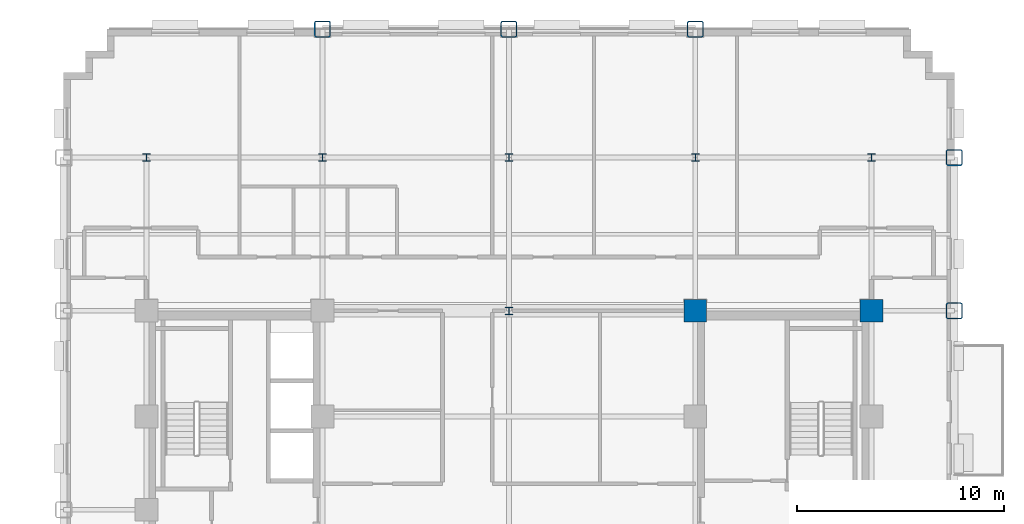
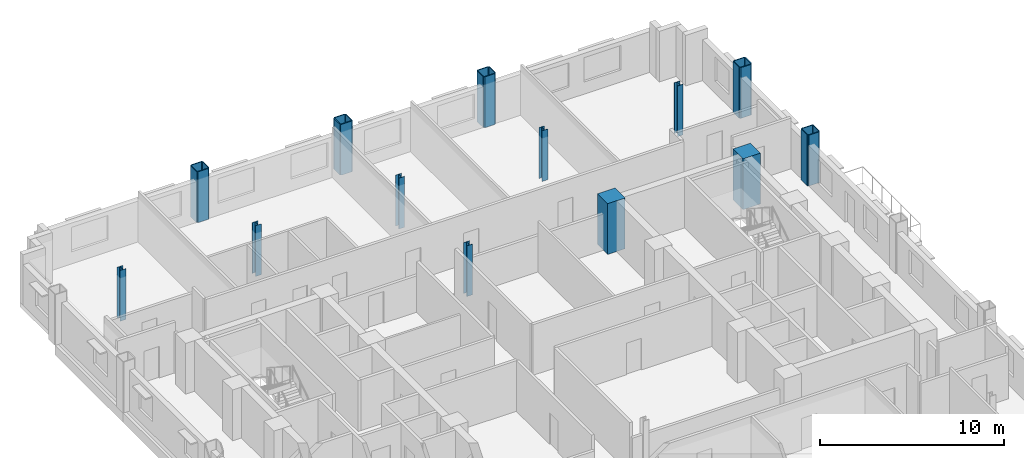
# One storey, part 3 of 14: 13 columns.
"""IFC4 building model written with IfcOpenShell, lengths in metres."""

import ifcopenshell
import ifcopenshell.guid

model = None  # the IFC model being written
_history = None  # IfcOwnerHistory: only IFC2X3 demands one
_inside = {}  # id of a spatial element -> (the spatial element, [elements in it])
_under = {}  # id of a project, library or spatial element -> (it, [spatial elements below it])
_declared = {}  # id of a project -> (the project, [libraries it declares])
_typed = {}  # id of a type object -> (the type object, [elements of that type])
_made_of = {}  # id of a material, layer set ... -> (it, [elements and type objects made of it])


def new_model(schema):
    """Start an empty IFC model of exactly this schema.

    Asked for "IFC4X3", IfcOpenShell would pick the latest addendum, in which some entities
    have other attributes; the version numbers below select the first issue.
    IFC2X3 requires an IfcOwnerHistory on every rooted entity: one is made here for all.
    """
    global model, _history
    if schema == "IFC4X3":
        model = ifcopenshell.file(schema_version=(4, 3, 0, 0))
    else:
        model = ifcopenshell.file(schema=schema)
    _inside.clear()
    _under.clear()
    _declared.clear()
    _typed.clear()
    _made_of.clear()
    _history = None
    if model.schema == "IFC2X3":
        org = make("IfcOrganization", Name="unknown")
        user = make(
            "IfcPersonAndOrganization",
            ThePerson=make("IfcPerson", FamilyName="unknown"),
            TheOrganization=org,
        )
        app = make(
            "IfcApplication",
            ApplicationDeveloper=org,
            Version="unknown",
            ApplicationFullName="unknown",
            ApplicationIdentifier="unknown",
        )
        _history = make(
            "IfcOwnerHistory",
            OwningUser=user,
            OwningApplication=app,
            ChangeAction="ADDED",
            CreationDate=0,
        )
    return model


def make(cls, **values):
    """One entity of the class cls with the attributes given. An attribute that is None is left unset."""
    return model.create_entity(
        cls, **{name: value for name, value in values.items() if value is not None}
    )


def rooted(cls, **values):
    """An entity with a GlobalId (a new one), such as an element, a storey or a relation."""
    return make(cls, GlobalId=ifcopenshell.guid.new(), OwnerHistory=_history, **values)


def si_unit(unit_type, name, prefix=None):
    """IfcSIUnit, for example si_unit("LENGTHUNIT", "METRE", prefix="MILLI")."""
    return make("IfcSIUnit", UnitType=unit_type, Prefix=prefix, Name=name)


def assignment(units):
    """IfcUnitAssignment: the units of a project."""
    return None if units is None else make("IfcUnitAssignment", Units=units)


def point(xyz):
    """IfcCartesianPoint."""
    return None if xyz is None else make("IfcCartesianPoint", Coordinates=xyz)


def direction(xyz):
    """IfcDirection."""
    return None if xyz is None else make("IfcDirection", DirectionRatios=xyz)


def frame(location, z_axis=None, x_axis=None):
    """IfcAxis2Placement3D, a coordinate frame: its origin and axes. An axis left out is left unset."""
    return make(
        "IfcAxis2Placement3D",
        Location=point(location),
        Axis=direction(z_axis),
        RefDirection=direction(x_axis),
    )


def frame_2d(location, x_axis=None):
    """IfcAxis2Placement2D, a coordinate frame in the plane: its origin and x axis."""
    return make(
        "IfcAxis2Placement2D", Location=point(location), RefDirection=direction(x_axis)
    )


def origin():
    """The frame at (0, 0, 0) with its axes left unset."""
    return frame((0.0, 0.0, 0.0))


def origin_2d():
    """The frame at (0, 0) in the plane with its x axis left unset."""
    return frame_2d((0.0, 0.0))


def place(relative_to, where):
    """IfcLocalPlacement: puts the frame where relative to a parent placement (None: the world)."""
    return make(
        "IfcLocalPlacement", PlacementRelTo=relative_to, RelativePlacement=where
    )


def context(
    kind, dimensions, precision=None, world=None, true_north=None, identifier=None
):
    """IfcGeometricRepresentationContext, for example the 3D "Model" context."""
    return make(
        "IfcGeometricRepresentationContext",
        ContextIdentifier=identifier,
        ContextType=kind,
        CoordinateSpaceDimension=dimensions,
        Precision=precision,
        WorldCoordinateSystem=world,
        TrueNorth=true_north,
    )


def subcontext(parent, identifier, kind, view, scale=None):
    """IfcGeometricRepresentationSubContext, for example "Body" below "Model"."""
    return make(
        "IfcGeometricRepresentationSubContext",
        ContextIdentifier=identifier,
        ContextType=kind,
        ParentContext=parent,
        TargetScale=scale,
        TargetView=view,
    )


def project(units=None, contexts=None):
    """IfcProject with its units and contexts."""
    return rooted(
        "IfcProject",
        Name="project",
        RepresentationContexts=contexts,
        UnitsInContext=assignment(units),
    )


def spatial(cls, under=None, at=None, **own):
    """A site, building, storey or space (cls), placed at a placement, below another one or the project."""
    s = rooted(cls, ObjectPlacement=at, **own)
    if under is not None:
        _under.setdefault(under.id(), (under, []))[1].append(s)
    return s


def profile(cls, at=None, kind="AREA", **sizes):
    """A parametric profile (cls). Its sizes go by their IFC names, for example OverallWidth=200.0."""
    return make(cls, ProfileType=kind, Position=at, **sizes)


def rectangle(**sizes):
    """IfcRectangleProfileDef."""
    return profile("IfcRectangleProfileDef", **sizes)


def hollow_rectangle(**sizes):
    """IfcRectangleHollowProfileDef."""
    return profile("IfcRectangleHollowProfileDef", **sizes)


def i_section(**sizes):
    """IfcIShapeProfileDef."""
    return profile("IfcIShapeProfileDef", **sizes)


def extrude(swept, where, along, depth):
    """IfcExtrudedAreaSolid: the profile swept, set in the frame where, extruded along a direction by depth."""
    return make(
        "IfcExtrudedAreaSolid",
        SweptArea=swept,
        Position=where,
        ExtrudedDirection=direction(along),
        Depth=depth,
    )


def shape(context_of_items, identifier, shape_type, items):
    """IfcShapeRepresentation: the items that make up one representation, for example the "Body"."""
    return make(
        "IfcShapeRepresentation",
        ContextOfItems=context_of_items,
        RepresentationIdentifier=identifier,
        RepresentationType=shape_type,
        Items=items,
    )


def material(Name=None, Category=None):
    """IfcMaterial."""
    return make("IfcMaterial", Name=Name, Category=Category)


def material_profile(
    of_material, cross_section, Name=None, Category=None, Priority=None
):
    """IfcMaterialProfile: a cross section and its material."""
    return make(
        "IfcMaterialProfile",
        Name=Name,
        Material=of_material,
        Profile=cross_section,
        Priority=Priority,
        Category=Category,
    )


def profile_set(profiles, Name=None, composite=None):
    """IfcMaterialProfileSet."""
    return make(
        "IfcMaterialProfileSet",
        Name=Name,
        MaterialProfiles=profiles,
        CompositeProfile=composite,
    )


def made_of(thing, what):
    """Note that an element or type object is made of a material, layer set ...; save() writes the relation."""
    if what is not None:
        _made_of.setdefault(what.id(), (what, []))[1].append(thing)
    return thing


def type_object(cls, material=None, **own):
    """A type object (cls), such as IfcWallType, which elements share."""
    return made_of(rooted(cls, **own), material)


def element(
    cls,
    number,
    at=None,
    inside=None,
    cuts=None,
    type_object=None,
    material=None,
    context=None,
    identifier="Body",
    shape_type=None,
    held_by="IfcProductDefinitionShape",
    body=None,
    shapes=None,
    **own,
):
    """One element of the class cls, such as IfcWall. Its Tag is "e" and its number.

    at: its placement. inside: the storey or other place that contains it. cuts: it is an
    opening in that element (IfcRelVoidsElement). A single representation is given by context,
    identifier, shape_type and body (its items); several are given by shapes. held_by: the class
    of the entity that holds the representations. save() writes the other relations.
    """
    e = rooted(cls, Tag="e%d" % number, ObjectPlacement=at, **own)
    if body is not None:
        shapes = [shape(context, identifier, shape_type, body)]
    if shapes is not None:
        e.Representation = make(held_by, Representations=shapes)
    if inside is not None:
        _inside.setdefault(inside.id(), (inside, []))[1].append(e)
    if cuts is not None:
        rooted(
            "IfcRelVoidsElement", RelatingBuildingElement=cuts, RelatedOpeningElement=e
        )
    if type_object is not None:
        _typed.setdefault(type_object.id(), (type_object, []))[1].append(e)
    return made_of(e, material)


def aggregate(whole, parts):
    """IfcRelAggregates: a whole, such as a stair, and the parts it consists of."""
    return rooted("IfcRelAggregates", RelatingObject=whole, RelatedObjects=parts)


def save(model, path):
    """Write the relations noted so far, then the file.

    IfcRelAggregates (storeys below a building ...), IfcRelContainedInSpatialStructure (elements
    in a storey), IfcRelDefinesByType, IfcRelAssociatesMaterial and IfcRelDeclares: one each for
    every whole, place, type object, material and project.
    """
    for whole, parts in _under.values():
        aggregate(whole, parts)
    for where, things in _inside.values():
        rooted(
            "IfcRelContainedInSpatialStructure",
            RelatedElements=things,
            RelatingStructure=where,
        )
    for kind, things in _typed.values():
        rooted("IfcRelDefinesByType", RelatedObjects=things, RelatingType=kind)
    for what, things in _made_of.values():
        rooted("IfcRelAssociatesMaterial", RelatedObjects=things, RelatingMaterial=what)
    for by, libraries in _declared.values():
        rooted("IfcRelDeclares", RelatingContext=by, RelatedDefinitions=libraries)
    model.write(path)


model = new_model("IFC4")

# Units and contexts
model_context = context("Model", 3, precision=1e-05, world=origin(), true_north=direction((0.0, 1.0)))
body_context = subcontext(model_context, "Body", "Model", "MODEL_VIEW")
ifc_project = project(units=[si_unit("LENGTHUNIT", "METRE"), si_unit("AREAUNIT", "SQUARE_METRE"), si_unit("VOLUMEUNIT", "CUBIC_METRE"), si_unit("PLANEANGLEUNIT", "RADIAN"), si_unit("MASSUNIT", "GRAM", prefix="KILO")], contexts=[model_context])

# Site, building, storey
site_placement = place(None, origin())
site = spatial("IfcSite", under=ifc_project, at=site_placement, CompositionType="ELEMENT")
building_placement = place(site_placement, origin())
building = spatial("IfcBuilding", under=site, at=building_placement, Name="Nuvemarco Arch Tower", CompositionType="ELEMENT")
storey_placement = place(building_placement, frame((0.0, 0.0, 71.39990234375)))
storey = spatial("IfcBuildingStorey", under=building, at=storey_placement, Name="L18", CompositionType="ELEMENT", Elevation=71.39990234375)

# Columns
ifc_material_1 = material(Name="Concrete C60/75", Category="concrete")
ifc_material_profile_1 = material_profile(ifc_material_1, rectangle(XDim=1.10009765625, YDim=1.10009765625, at=origin_2d()), Name="RC-COL-1100x1100")
ifc_profile_set_1 = profile_set([ifc_material_profile_1], Name="Concrete C60/75")
column_type_1 = type_object("IfcColumnType", Name="COL-CORE-1100", PredefinedType="COLUMN", material=ifc_profile_set_1)
for number, where, z_axis, x_axis, name in (
    (1, (9.0, 9.60009765625, 0.0), (0.0, 0.0, 1.0), (1.0, 0.0, 0.0), "L18 column CC_+9.0_+9.6"),
    (2, (17.5, 9.60009765625, 0.0), (0.0, 0.0, 1.0), (1.0, 0.0, 0.0), "L18 column CC_+17.5_+9.6"),
):
    element("IfcColumn", number, at=place(storey_placement, frame(where, z_axis=z_axis, x_axis=x_axis)), inside=storey, type_object=column_type_1, Name=name, PredefinedType="COLUMN", context=body_context, shape_type="SweptSolid", body=[
        extrude(rectangle(XDim=1.10009765625, YDim=1.10009765625, at=origin_2d()), origin(), (0.0, 0.0, 1.0), 3.3701171875),
    ])
ifc_material_2 = material(Name="Steel S460", Category="steel")
ifc_material_profile_2 = material_profile(ifc_material_2, hollow_rectangle(XDim=0.800048828125, YDim=0.800048828125, WallThickness=0.054931640625, InnerFilletRadius=0.054931640625, OuterFilletRadius=0.110107421875, at=origin_2d()), Name="SHS800x800x55")
ifc_profile_set_2 = profile_set([ifc_material_profile_2], Name="Steel S460")
column_type_2 = type_object("IfcColumnType", Name="COL-EXO-800", PredefinedType="COLUMN", material=ifc_profile_set_2)
for number, where, z_axis, x_axis, name in (
    (3, (21.5, 9.60009765625, 0.0), (0.0, 0.0, 1.0), (1.0, 0.0, 0.0), "L18 column CX_+21.5_+9.6"),
    (4, (21.5, 17.0, 0.0), (0.0, 0.0, 1.0), (1.0, 0.0, 0.0), "L18 column CX_+21.5_+17.0"),
    (5, (-9.0, 23.199951171875, 0.0), (0.0, 0.0, 1.0), (1.0, 0.0, 0.0), "L18 column CY_-9.0_+23.2"),
    (6, (0.0, 23.199951171875, 0.0), (0.0, 0.0, 1.0), (1.0, 0.0, 0.0), "L18 column CY_+0.0_+23.2"),
    (7, (9.0, 23.199951171875, 0.0), (0.0, 0.0, 1.0), (1.0, 0.0, 0.0), "L18 column CY_+9.0_+23.2"),
):
    element("IfcColumn", number, at=place(storey_placement, frame(where, z_axis=z_axis, x_axis=x_axis)), inside=storey, type_object=column_type_2, Name=name, PredefinedType="COLUMN", context=body_context, shape_type="SweptSolid", body=[
        extrude(hollow_rectangle(XDim=0.800048828125, YDim=0.800048828125, WallThickness=0.054931640625, InnerFilletRadius=0.054931640625, OuterFilletRadius=0.110107421875, at=origin_2d()), origin(), (0.0, 0.0, 1.0), 3.3701171875),
    ])
ifc_material_3 = material(Name="Steel S355", Category="steel")
ifc_material_profile_3 = material_profile(ifc_material_3, i_section(OverallWidth=0.360107421875, OverallDepth=0.360107421875, WebThickness=0.0205078125, FlangeThickness=0.0205078125, FilletRadius=0.01806640625, at=origin_2d()), Name="HP360x174")
ifc_profile_set_3 = profile_set([ifc_material_profile_3], Name="Steel S355")
column_type_3 = type_object("IfcColumnType", Name="COL-STL-HP360", PredefinedType="COLUMN", material=ifc_profile_set_3)
for number, where, z_axis, x_axis, name in (
    (8, (0.0, 9.60009765625, 0.0), (0.0, 0.0, 1.0), (1.0, 0.0, 0.0), "L18 column CI_+0.0_+9.6"),
    (9, (0.0, 17.0, 0.0), (0.0, 0.0, 1.0), (1.0, 0.0, 0.0), "L18 column CI_+0.0_+17.0"),
    (10, (-17.5, 17.0, 0.0), (0.0, 0.0, 1.0), (1.0, 0.0, 0.0), "L18 column CI_-17.5_+17.0"),
    (11, (-9.0, 17.0, 0.0), (0.0, 0.0, 1.0), (1.0, 0.0, 0.0), "L18 column CI_-9.0_+17.0"),
    (12, (9.0, 17.0, 0.0), (0.0, 0.0, 1.0), (1.0, 0.0, 0.0), "L18 column CI_+9.0_+17.0"),
    (13, (17.5, 17.0, 0.0), (0.0, 0.0, 1.0), (1.0, 0.0, 0.0), "L18 column CI_+17.5_+17.0"),
):
    element("IfcColumn", number, at=place(storey_placement, frame(where, z_axis=z_axis, x_axis=x_axis)), inside=storey, type_object=column_type_3, Name=name, PredefinedType="COLUMN", context=body_context, shape_type="SweptSolid", body=[
        extrude(i_section(OverallWidth=0.360107421875, OverallDepth=0.360107421875, WebThickness=0.0205078125, FlangeThickness=0.0205078125, FilletRadius=0.01806640625, at=origin_2d()), origin(), (0.0, 0.0, 1.0), 3.3701171875),
    ])

save(model, "model.ifc")
